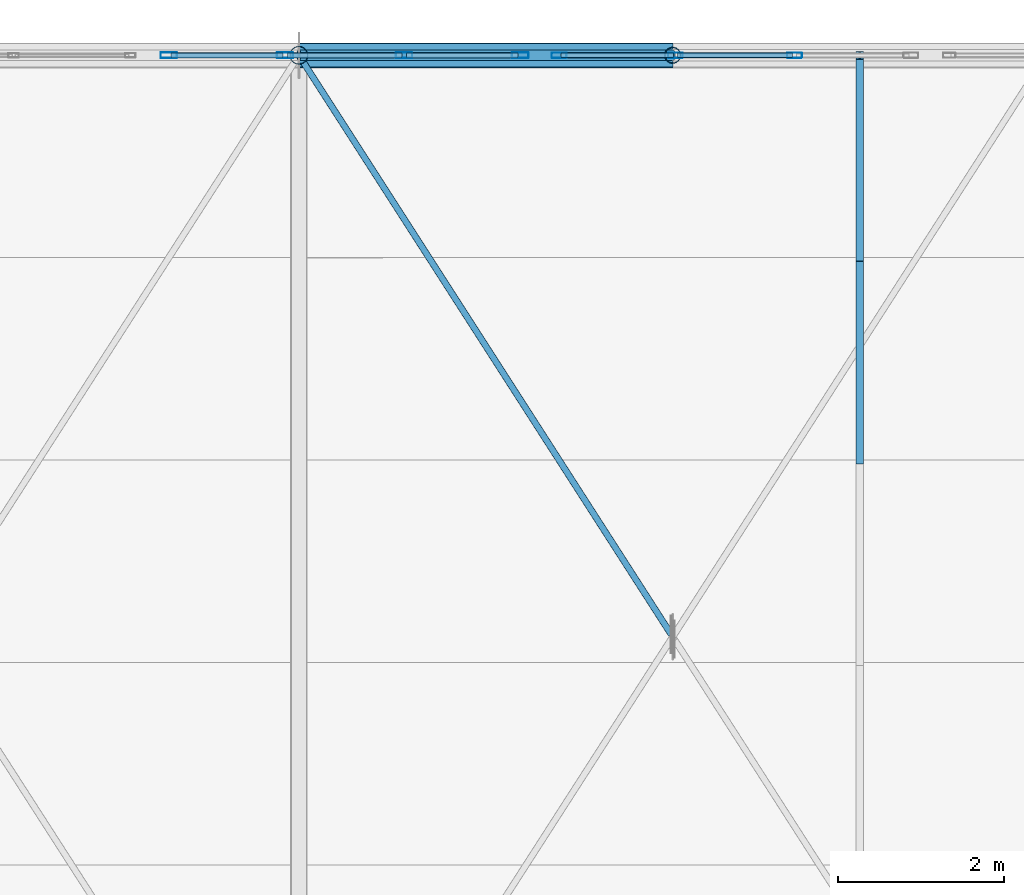
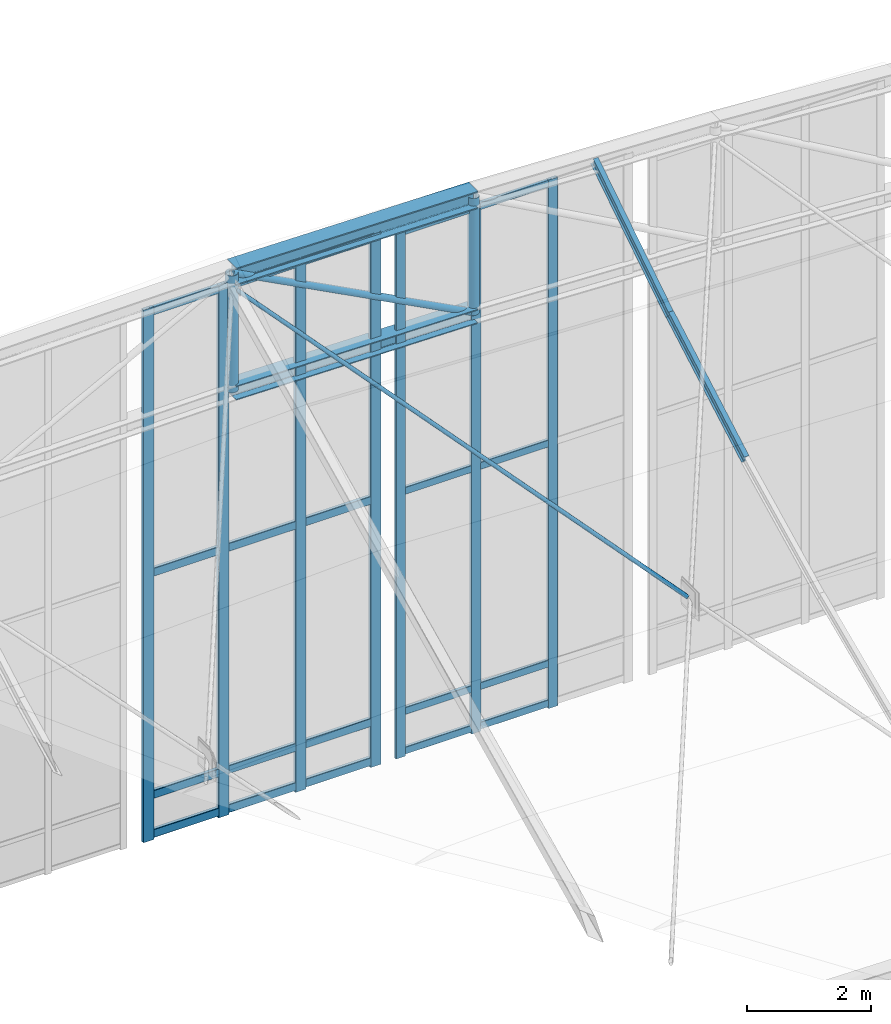
# One storey, part 211 of 262: 35 members, 2 elements without a shape of their own.
"""IFC4 building model written with IfcOpenShell, lengths in metres."""

from ifc_helpers import new_model, si_unit, derived_unit, direction, frame, origin, origin_2d, place, context, subcontext, project, spatial, hollow_rectangle, hollow_circle, i_section, extrude, material, layer, layer_set, material_profile, profile_set, type_object, element, aggregate, save


model = new_model("IFC4")

# Units and contexts
model_context = context("Model", 3, precision=1e-05, world=origin(), true_north=direction((0.0, 1.0)))
body_context = subcontext(model_context, "Body", "Model", "MODEL_VIEW")
ifc_project = project(units=[si_unit("LENGTHUNIT", "METRE"), si_unit("AREAUNIT", "SQUARE_METRE"), si_unit("VOLUMEUNIT", "CUBIC_METRE"), si_unit("PLANEANGLEUNIT", "RADIAN"), si_unit("MASSUNIT", "GRAM", prefix="KILO"), derived_unit("THERMALTRANSMITTANCEUNIT", [(si_unit("POWERUNIT", "WATT"), 1), (si_unit("LENGTHUNIT", "METRE"), -2), (si_unit("THERMODYNAMICTEMPERATUREUNIT", "KELVIN"), -1)])], contexts=[model_context])

# Site, building, storey
site_placement = place(None, origin())
site = spatial("IfcSite", under=ifc_project, at=site_placement, CompositionType="ELEMENT")
building_placement = place(site_placement, origin())
building = spatial("IfcBuilding", under=site, at=building_placement, Name="Almenara Railside Exhibition Hall", CompositionType="ELEMENT")
storey_placement = place(building_placement, frame((0.0, 0.0, 21.699951171875)))
storey = spatial("IfcBuildingStorey", under=building, at=storey_placement, Name="RF", CompositionType="ELEMENT", Elevation=21.699951171875)

# Members
ifc_material_1 = material(Name="Structural steel S355JR", Category="steel")
ifc_material_profile_1 = material_profile(ifc_material_1, i_section(OverallWidth=0.280029296875, OverallDepth=0.280029296875, WebThickness=0.010498046875, FlangeThickness=0.01806640625, FilletRadius=0.02392578125, at=origin_2d()), Name="HEB 280")
ifc_profile_set_1 = profile_set([ifc_material_profile_1], Name="Structural steel S355JR")
member_type_1 = type_object("IfcMemberType", Name="Arched Gable Bottom Chord HEB 280 S355JR", PredefinedType="CHORD", material=ifc_profile_set_1)
member_1_placement = place(storey_placement, frame((165.0, 132.0, 1.60009765625), z_axis=(0.999907293085, 0.0, -0.01361635908), x_axis=(0.0, 1.0, 0.0)))
element("IfcMember", 1, at=member_1_placement, inside=storey, type_object=member_type_1, Name="MEM-BC-V2-07-06", PredefinedType="CHORD", context=body_context, shape_type="SweptSolid", body=[
    extrude(i_section(OverallWidth=0.280029296875, OverallDepth=0.280029296875, WebThickness=0.010498046875, FlangeThickness=0.01806640625, FilletRadius=0.02392578125, at=origin_2d()), origin(), (0.0, 0.0, 1.0), 4.50048828125),
])
ifc_material_profile_2 = material_profile(ifc_material_1, i_section(OverallWidth=0.300048828125, OverallDepth=0.340087890625, WebThickness=0.011962890625, FlangeThickness=0.021484375, FilletRadius=0.027099609375, at=origin_2d()), Name="HEB 340")
ifc_profile_set_2 = profile_set([ifc_material_profile_2], Name="Structural steel S355JR")
member_type_2 = type_object("IfcMemberType", Name="Arched Gable Top Chord HEB 340 S355JR", PredefinedType="CHORD", material=ifc_profile_set_2)
member_2_placement = place(storey_placement, frame((165.0, 132.0, 3.900146484375), z_axis=(0.999907293085, 0.0, -0.01361635908), x_axis=(0.0, 1.0, 0.0)))
element("IfcMember", 2, at=member_2_placement, inside=storey, type_object=member_type_2, Name="MEM-TC-V2-07-06", PredefinedType="CHORD", context=body_context, shape_type="SweptSolid", body=[
    extrude(i_section(OverallWidth=0.300048828125, OverallDepth=0.340087890625, WebThickness=0.011962890625, FlangeThickness=0.021484375, FilletRadius=0.027099609375, at=origin_2d()), origin(), (0.0, 0.0, 1.0), 4.50048828125),
])

# Curtain wall, members
ifc_material_2 = material(Name="Bronze-anodised aluminium and low-E double glazing", Category="aluminium")
ifc_layer = layer(ifc_material_2, 0.179931640625, Name="Bronze-anodised aluminium and low-E double glazing")
ifc_layer_set = layer_set([ifc_layer], Name="Bronze-anodised aluminium and low-E double glazing")
curtain_wall_type = type_object("IfcCurtainWallType", Name="Scroll Gable Tall Curtain Wall 3800x5400", PredefinedType="NOTDEFINED", material=ifc_layer_set)
curtain_wall_1_placement = place(storey_placement, origin())
curtain_wall_1 = element("IfcCurtainWall", 3, at=curtain_wall_1_placement, inside=storey, type_object=curtain_wall_type, Name="Curtain wall CW-G1-229", PredefinedType="NOTDEFINED")
ifc_material_3 = material(Name="Bronze-anodised aluminium", Category="aluminium")
ifc_material_profile_3 = material_profile(ifc_material_3, hollow_rectangle(XDim=0.06494140625, YDim=0.179931640625, WallThickness=0.00390625, InnerFilletRadius=0.00390625, OuterFilletRadius=0.008056640625, at=origin_2d()), Name="ALU-MUL 65x180x4")
ifc_profile_set_3 = profile_set([ifc_material_profile_3], Name="Bronze-anodised aluminium")
member_type_3 = type_object("IfcMemberType", Name="Curtain Wall Mullion 65x180x4", PredefinedType="MULLION", material=ifc_profile_set_3)
member_3_placement = place(storey_placement, frame((168.132568359375, 132.0, -6.73486328125), z_axis=(0.0, 0.0, 1.0), x_axis=(0.0, 1.0, 0.0)))
member_3 = element("IfcMember", 4, at=member_3_placement, type_object=member_type_3, Name="CW-G1-229 mullion 1", PredefinedType="MULLION", context=body_context, shape_type="SweptSolid", body=[
    extrude(hollow_rectangle(XDim=0.06494140625, YDim=0.179931640625, WallThickness=0.00390625, InnerFilletRadius=0.00390625, OuterFilletRadius=0.008056640625, at=origin_2d()), origin(), (0.0, 0.0, 1.0), 10.405029296875),
])
member_4_placement = place(storey_placement, frame((169.533447265625, 132.0, -6.73486328125), z_axis=(0.0, 0.0, 1.0), x_axis=(0.0, 1.0, 0.0)))
member_4 = element("IfcMember", 5, at=member_4_placement, type_object=member_type_3, Name="CW-G1-229 mullion 2", PredefinedType="MULLION", context=body_context, shape_type="SweptSolid", body=[
    extrude(hollow_rectangle(XDim=0.06494140625, YDim=0.179931640625, WallThickness=0.00390625, InnerFilletRadius=0.00390625, OuterFilletRadius=0.008056640625, at=origin_2d()), origin(), (0.0, 0.0, 1.0), 10.405029296875),
])
member_5_placement = place(storey_placement, frame((170.966552734375, 132.0, -6.73486328125), z_axis=(0.0, 0.0, 1.0), x_axis=(0.0, 1.0, 0.0)))
member_5 = element("IfcMember", 6, at=member_5_placement, type_object=member_type_3, Name="CW-G1-229 mullion 3", PredefinedType="MULLION", context=body_context, shape_type="SweptSolid", body=[
    extrude(hollow_rectangle(XDim=0.06494140625, YDim=0.179931640625, WallThickness=0.00390625, InnerFilletRadius=0.00390625, OuterFilletRadius=0.008056640625, at=origin_2d()), origin(), (0.0, 0.0, 1.0), 10.405029296875),
])

curtain_wall_2_placement = place(storey_placement, origin())
curtain_wall_2 = element("IfcCurtainWall", 7, at=curtain_wall_2_placement, inside=storey, type_object=curtain_wall_type, Name="Curtain wall CW-G1-228", PredefinedType="NOTDEFINED")
ifc_material_profile_4 = material_profile(ifc_material_3, hollow_rectangle(XDim=0.070068359375, YDim=0.199951171875, WallThickness=0.00439453125, InnerFilletRadius=0.00439453125, OuterFilletRadius=0.009033203125, at=origin_2d()), Name="ALU-MUL 70x200x4.5")
ifc_profile_set_4 = profile_set([ifc_material_profile_4], Name="Bronze-anodised aluminium")
member_type_4 = type_object("IfcMemberType", Name="Curtain Wall Mullion 70x200x4.5", PredefinedType="MULLION", material=ifc_profile_set_4)
member_6_placement = place(storey_placement, frame((163.43505859375, 132.0, -6.73486328125), z_axis=(0.0, 0.0, 1.0), x_axis=(0.0, 1.0, 0.0)))
member_6 = element("IfcMember", 8, at=member_6_placement, type_object=member_type_4, Name="CW-G1-228 mullion 1", PredefinedType="MULLION", context=body_context, shape_type="SweptSolid", body=[
    extrude(hollow_rectangle(XDim=0.070068359375, YDim=0.199951171875, WallThickness=0.00439453125, InnerFilletRadius=0.00439453125, OuterFilletRadius=0.009033203125, at=origin_2d()), origin(), (0.0, 0.0, 1.0), 10.48486328125),
])
member_7_placement = place(storey_placement, frame((164.833251953125, 132.0, -6.73486328125), z_axis=(0.0, 0.0, 1.0), x_axis=(0.0, 1.0, 0.0)))
member_7 = element("IfcMember", 9, at=member_7_placement, type_object=member_type_4, Name="CW-G1-228 mullion 2", PredefinedType="MULLION", context=body_context, shape_type="SweptSolid", body=[
    extrude(hollow_rectangle(XDim=0.070068359375, YDim=0.199951171875, WallThickness=0.00439453125, InnerFilletRadius=0.00439453125, OuterFilletRadius=0.009033203125, at=origin_2d()), origin(), (0.0, 0.0, 1.0), 10.48486328125),
])
member_8_placement = place(storey_placement, frame((166.2666015625, 132.0, -6.73486328125), z_axis=(0.0, 0.0, 1.0), x_axis=(0.0, 1.0, 0.0)))
member_8 = element("IfcMember", 10, at=member_8_placement, type_object=member_type_4, Name="CW-G1-228 mullion 3", PredefinedType="MULLION", context=body_context, shape_type="SweptSolid", body=[
    extrude(hollow_rectangle(XDim=0.070068359375, YDim=0.199951171875, WallThickness=0.00439453125, InnerFilletRadius=0.00439453125, OuterFilletRadius=0.009033203125, at=origin_2d()), origin(), (0.0, 0.0, 1.0), 10.48486328125),
])
member_9_placement = place(storey_placement, frame((167.6650390625, 132.0, -6.73486328125), z_axis=(0.0, 0.0, 1.0), x_axis=(0.0, 1.0, 0.0)))
member_9 = element("IfcMember", 11, at=member_9_placement, type_object=member_type_4, Name="CW-G1-228 mullion 4", PredefinedType="MULLION", context=body_context, shape_type="SweptSolid", body=[
    extrude(hollow_rectangle(XDim=0.070068359375, YDim=0.199951171875, WallThickness=0.00439453125, InnerFilletRadius=0.00439453125, OuterFilletRadius=0.009033203125, at=origin_2d()), origin(), (0.0, 0.0, 1.0), 10.48486328125),
])

# Member
ifc_material_profile_5 = material_profile(ifc_material_3, hollow_rectangle(XDim=0.06494140625, YDim=0.139892578125, WallThickness=0.00341796875, InnerFilletRadius=0.00341796875, OuterFilletRadius=0.007080078125, at=origin_2d()), Name="ALU-TRN 65x140x3.5")
ifc_profile_set_5 = profile_set([ifc_material_profile_5], Name="Bronze-anodised aluminium")
member_type_5 = type_object("IfcMemberType", Name="Curtain Wall Transom 65x140x3.5", PredefinedType="USERDEFINED", material=ifc_profile_set_5)
member_10_placement = place(storey_placement, frame((168.156982421875, 132.0, -6.6298828125), z_axis=(1.0, 0.0, 0.0), x_axis=(0.0, 1.0, 0.0)))
member_10 = element("IfcMember", 12, at=member_10_placement, type_object=member_type_5, Name="CW-G1-229 transom 1.1", ObjectType="TRANSOM", PredefinedType="USERDEFINED", context=body_context, shape_type="SweptSolid", body=[
    extrude(hollow_rectangle(XDim=0.06494140625, YDim=0.139892578125, WallThickness=0.00341796875, InnerFilletRadius=0.00341796875, OuterFilletRadius=0.007080078125, at=origin_2d()), origin(), (0.0, 0.0, 1.0), 1.351806640625),
])

member_11_placement = place(storey_placement, frame((168.156982421875, 132.0, -5.849853515625), z_axis=(1.0, 0.0, 0.0), x_axis=(0.0, 1.0, 0.0)))
member_11 = element("IfcMember", 13, at=member_11_placement, type_object=member_type_5, Name="CW-G1-229 transom 1.2", ObjectType="TRANSOM", PredefinedType="USERDEFINED", context=body_context, shape_type="SweptSolid", body=[
    extrude(hollow_rectangle(XDim=0.06494140625, YDim=0.139892578125, WallThickness=0.00341796875, InnerFilletRadius=0.00341796875, OuterFilletRadius=0.007080078125, at=origin_2d()), origin(), (0.0, 0.0, 1.0), 1.351806640625),
])

member_12_placement = place(storey_placement, frame((168.156982421875, 132.0, -1.514892578125), z_axis=(1.0, 0.0, 0.0), x_axis=(0.0, 1.0, 0.0)))
member_12 = element("IfcMember", 14, at=member_12_placement, type_object=member_type_5, Name="CW-G1-229 transom 1.3", ObjectType="TRANSOM", PredefinedType="USERDEFINED", context=body_context, shape_type="SweptSolid", body=[
    extrude(hollow_rectangle(XDim=0.06494140625, YDim=0.139892578125, WallThickness=0.00341796875, InnerFilletRadius=0.00341796875, OuterFilletRadius=0.007080078125, at=origin_2d()), origin(), (0.0, 0.0, 1.0), 1.351806640625),
])

member_13_placement = place(storey_placement, frame((168.156982421875, 132.0, 3.60009765625), z_axis=(1.0, 0.0, 0.0), x_axis=(0.0, 1.0, 0.0)))
member_13 = element("IfcMember", 15, at=member_13_placement, type_object=member_type_5, Name="CW-G1-229 transom 1.4", ObjectType="TRANSOM", PredefinedType="USERDEFINED", context=body_context, shape_type="SweptSolid", body=[
    extrude(hollow_rectangle(XDim=0.06494140625, YDim=0.139892578125, WallThickness=0.00341796875, InnerFilletRadius=0.00341796875, OuterFilletRadius=0.007080078125, at=origin_2d()), origin(), (0.0, 0.0, 1.0), 1.351806640625),
])

member_14_placement = place(storey_placement, frame((169.557861328125, 132.0, -6.6298828125), z_axis=(1.0, 0.0, 0.0), x_axis=(0.0, 1.0, 0.0)))
member_14 = element("IfcMember", 16, at=member_14_placement, type_object=member_type_5, Name="CW-G1-229 transom 2.1", ObjectType="TRANSOM", PredefinedType="USERDEFINED", context=body_context, shape_type="SweptSolid", body=[
    extrude(hollow_rectangle(XDim=0.06494140625, YDim=0.139892578125, WallThickness=0.00341796875, InnerFilletRadius=0.00341796875, OuterFilletRadius=0.007080078125, at=origin_2d()), origin(), (0.0, 0.0, 1.0), 1.38427734375),
])

member_15_placement = place(storey_placement, frame((169.557861328125, 132.0, -5.849853515625), z_axis=(1.0, 0.0, 0.0), x_axis=(0.0, 1.0, 0.0)))
member_15 = element("IfcMember", 17, at=member_15_placement, type_object=member_type_5, Name="CW-G1-229 transom 2.2", ObjectType="TRANSOM", PredefinedType="USERDEFINED", context=body_context, shape_type="SweptSolid", body=[
    extrude(hollow_rectangle(XDim=0.06494140625, YDim=0.139892578125, WallThickness=0.00341796875, InnerFilletRadius=0.00341796875, OuterFilletRadius=0.007080078125, at=origin_2d()), origin(), (0.0, 0.0, 1.0), 1.38427734375),
])

member_16_placement = place(storey_placement, frame((169.557861328125, 132.0, -1.514892578125), z_axis=(1.0, 0.0, 0.0), x_axis=(0.0, 1.0, 0.0)))
member_16 = element("IfcMember", 18, at=member_16_placement, type_object=member_type_5, Name="CW-G1-229 transom 2.3", ObjectType="TRANSOM", PredefinedType="USERDEFINED", context=body_context, shape_type="SweptSolid", body=[
    extrude(hollow_rectangle(XDim=0.06494140625, YDim=0.139892578125, WallThickness=0.00341796875, InnerFilletRadius=0.00341796875, OuterFilletRadius=0.007080078125, at=origin_2d()), origin(), (0.0, 0.0, 1.0), 1.38427734375),
])

member_17_placement = place(storey_placement, frame((169.557861328125, 132.0, 3.60009765625), z_axis=(1.0, 0.0, 0.0), x_axis=(0.0, 1.0, 0.0)))
member_17 = element("IfcMember", 19, at=member_17_placement, type_object=member_type_5, Name="CW-G1-229 transom 2.4", ObjectType="TRANSOM", PredefinedType="USERDEFINED", context=body_context, shape_type="SweptSolid", body=[
    extrude(hollow_rectangle(XDim=0.06494140625, YDim=0.139892578125, WallThickness=0.00341796875, InnerFilletRadius=0.00341796875, OuterFilletRadius=0.007080078125, at=origin_2d()), origin(), (0.0, 0.0, 1.0), 1.38427734375),
])

aggregate(curtain_wall_1, [member_3, member_4, member_5, member_10, member_11, member_12, member_13, member_14, member_15, member_16, member_17])

ifc_material_profile_6 = material_profile(ifc_material_3, hollow_rectangle(XDim=0.070068359375, YDim=0.159912109375, WallThickness=0.00390625, InnerFilletRadius=0.00390625, OuterFilletRadius=0.008056640625, at=origin_2d()), Name="ALU-TRN 70x160x4")
ifc_profile_set_6 = profile_set([ifc_material_profile_6], Name="Bronze-anodised aluminium")
member_type_6 = type_object("IfcMemberType", Name="Curtain Wall Transom 70x160x4", PredefinedType="USERDEFINED", material=ifc_profile_set_6)
member_18_placement = place(storey_placement, frame((163.4619140625, 132.0, -6.619873046875), z_axis=(1.0, 0.0, 0.0), x_axis=(0.0, 1.0, 0.0)))
member_18 = element("IfcMember", 20, at=member_18_placement, type_object=member_type_6, Name="CW-G1-228 transom 1.1", ObjectType="TRANSOM", PredefinedType="USERDEFINED", context=body_context, shape_type="SweptSolid", body=[
    extrude(hollow_rectangle(XDim=0.070068359375, YDim=0.159912109375, WallThickness=0.00390625, InnerFilletRadius=0.00390625, OuterFilletRadius=0.008056640625, at=origin_2d()), origin(), (0.0, 0.0, 1.0), 1.344482421875),
])

member_19_placement = place(storey_placement, frame((163.4619140625, 132.0, -5.849853515625), z_axis=(1.0, 0.0, 0.0), x_axis=(0.0, 1.0, 0.0)))
member_19 = element("IfcMember", 21, at=member_19_placement, type_object=member_type_6, Name="CW-G1-228 transom 1.2", ObjectType="TRANSOM", PredefinedType="USERDEFINED", context=body_context, shape_type="SweptSolid", body=[
    extrude(hollow_rectangle(XDim=0.070068359375, YDim=0.159912109375, WallThickness=0.00390625, InnerFilletRadius=0.00390625, OuterFilletRadius=0.008056640625, at=origin_2d()), origin(), (0.0, 0.0, 1.0), 1.344482421875),
])

member_20_placement = place(storey_placement, frame((163.4619140625, 132.0, -1.474853515625), z_axis=(1.0, 0.0, 0.0), x_axis=(0.0, 1.0, 0.0)))
member_20 = element("IfcMember", 22, at=member_20_placement, type_object=member_type_6, Name="CW-G1-228 transom 1.3", ObjectType="TRANSOM", PredefinedType="USERDEFINED", context=body_context, shape_type="SweptSolid", body=[
    extrude(hollow_rectangle(XDim=0.070068359375, YDim=0.159912109375, WallThickness=0.00390625, InnerFilletRadius=0.00390625, OuterFilletRadius=0.008056640625, at=origin_2d()), origin(), (0.0, 0.0, 1.0), 1.344482421875),
])

member_21_placement = place(storey_placement, frame((163.4619140625, 132.0, 3.670166015625), z_axis=(1.0, 0.0, 0.0), x_axis=(0.0, 1.0, 0.0)))
member_21 = element("IfcMember", 23, at=member_21_placement, type_object=member_type_6, Name="CW-G1-228 transom 1.4", ObjectType="TRANSOM", PredefinedType="USERDEFINED", context=body_context, shape_type="SweptSolid", body=[
    extrude(hollow_rectangle(XDim=0.070068359375, YDim=0.159912109375, WallThickness=0.00390625, InnerFilletRadius=0.00390625, OuterFilletRadius=0.008056640625, at=origin_2d()), origin(), (0.0, 0.0, 1.0), 1.344482421875),
])

member_22_placement = place(storey_placement, frame((164.8603515625, 132.0, -6.619873046875), z_axis=(1.0, 0.0, 0.0), x_axis=(0.0, 1.0, 0.0)))
member_22 = element("IfcMember", 24, at=member_22_placement, type_object=member_type_6, Name="CW-G1-228 transom 2.1", ObjectType="TRANSOM", PredefinedType="USERDEFINED", context=body_context, shape_type="SweptSolid", body=[
    extrude(hollow_rectangle(XDim=0.070068359375, YDim=0.159912109375, WallThickness=0.00390625, InnerFilletRadius=0.00390625, OuterFilletRadius=0.008056640625, at=origin_2d()), origin(), (0.0, 0.0, 1.0), 1.37939453125),
])

member_23_placement = place(storey_placement, frame((164.8603515625, 132.0, -5.849853515625), z_axis=(1.0, 0.0, 0.0), x_axis=(0.0, 1.0, 0.0)))
member_23 = element("IfcMember", 25, at=member_23_placement, type_object=member_type_6, Name="CW-G1-228 transom 2.2", ObjectType="TRANSOM", PredefinedType="USERDEFINED", context=body_context, shape_type="SweptSolid", body=[
    extrude(hollow_rectangle(XDim=0.070068359375, YDim=0.159912109375, WallThickness=0.00390625, InnerFilletRadius=0.00390625, OuterFilletRadius=0.008056640625, at=origin_2d()), origin(), (0.0, 0.0, 1.0), 1.37939453125),
])

member_24_placement = place(storey_placement, frame((164.8603515625, 132.0, -1.474853515625), z_axis=(1.0, 0.0, 0.0), x_axis=(0.0, 1.0, 0.0)))
member_24 = element("IfcMember", 26, at=member_24_placement, type_object=member_type_6, Name="CW-G1-228 transom 2.3", ObjectType="TRANSOM", PredefinedType="USERDEFINED", context=body_context, shape_type="SweptSolid", body=[
    extrude(hollow_rectangle(XDim=0.070068359375, YDim=0.159912109375, WallThickness=0.00390625, InnerFilletRadius=0.00390625, OuterFilletRadius=0.008056640625, at=origin_2d()), origin(), (0.0, 0.0, 1.0), 1.37939453125),
])

member_25_placement = place(storey_placement, frame((164.8603515625, 132.0, 3.670166015625), z_axis=(1.0, 0.0, 0.0), x_axis=(0.0, 1.0, 0.0)))
member_25 = element("IfcMember", 27, at=member_25_placement, type_object=member_type_6, Name="CW-G1-228 transom 2.4", ObjectType="TRANSOM", PredefinedType="USERDEFINED", context=body_context, shape_type="SweptSolid", body=[
    extrude(hollow_rectangle(XDim=0.070068359375, YDim=0.159912109375, WallThickness=0.00390625, InnerFilletRadius=0.00390625, OuterFilletRadius=0.008056640625, at=origin_2d()), origin(), (0.0, 0.0, 1.0), 1.37939453125),
])

member_26_placement = place(storey_placement, frame((166.293701171875, 132.0, -6.619873046875), z_axis=(1.0, 0.0, 0.0), x_axis=(0.0, 1.0, 0.0)))
member_26 = element("IfcMember", 28, at=member_26_placement, type_object=member_type_6, Name="CW-G1-228 transom 3.1", ObjectType="TRANSOM", PredefinedType="USERDEFINED", context=body_context, shape_type="SweptSolid", body=[
    extrude(hollow_rectangle(XDim=0.070068359375, YDim=0.159912109375, WallThickness=0.00390625, InnerFilletRadius=0.00390625, OuterFilletRadius=0.008056640625, at=origin_2d()), origin(), (0.0, 0.0, 1.0), 1.34423828125),
])

member_27_placement = place(storey_placement, frame((166.293701171875, 132.0, -5.849853515625), z_axis=(1.0, 0.0, 0.0), x_axis=(0.0, 1.0, 0.0)))
member_27 = element("IfcMember", 29, at=member_27_placement, type_object=member_type_6, Name="CW-G1-228 transom 3.2", ObjectType="TRANSOM", PredefinedType="USERDEFINED", context=body_context, shape_type="SweptSolid", body=[
    extrude(hollow_rectangle(XDim=0.070068359375, YDim=0.159912109375, WallThickness=0.00390625, InnerFilletRadius=0.00390625, OuterFilletRadius=0.008056640625, at=origin_2d()), origin(), (0.0, 0.0, 1.0), 1.34423828125),
])

member_28_placement = place(storey_placement, frame((166.293701171875, 132.0, -1.474853515625), z_axis=(1.0, 0.0, 0.0), x_axis=(0.0, 1.0, 0.0)))
member_28 = element("IfcMember", 30, at=member_28_placement, type_object=member_type_6, Name="CW-G1-228 transom 3.3", ObjectType="TRANSOM", PredefinedType="USERDEFINED", context=body_context, shape_type="SweptSolid", body=[
    extrude(hollow_rectangle(XDim=0.070068359375, YDim=0.159912109375, WallThickness=0.00390625, InnerFilletRadius=0.00390625, OuterFilletRadius=0.008056640625, at=origin_2d()), origin(), (0.0, 0.0, 1.0), 1.34423828125),
])

member_29_placement = place(storey_placement, frame((166.293701171875, 132.0, 3.670166015625), z_axis=(1.0, 0.0, 0.0), x_axis=(0.0, 1.0, 0.0)))
member_29 = element("IfcMember", 31, at=member_29_placement, type_object=member_type_6, Name="CW-G1-228 transom 3.4", ObjectType="TRANSOM", PredefinedType="USERDEFINED", context=body_context, shape_type="SweptSolid", body=[
    extrude(hollow_rectangle(XDim=0.070068359375, YDim=0.159912109375, WallThickness=0.00390625, InnerFilletRadius=0.00390625, OuterFilletRadius=0.008056640625, at=origin_2d()), origin(), (0.0, 0.0, 1.0), 1.34423828125),
])

aggregate(curtain_wall_2, [member_6, member_7, member_8, member_9, member_18, member_19, member_20, member_21, member_22, member_23, member_24, member_25, member_26, member_27, member_28, member_29])

# Members
ifc_material_profile_7 = material_profile(ifc_material_1, hollow_circle(Radius=0.0380859375, WallThickness=0.003662109375, at=origin_2d()), Name="CHS 76.1x3.6")
ifc_profile_set_7 = profile_set([ifc_material_profile_7], Name="Structural steel S355JR")
member_type_7 = type_object("IfcMemberType", Name="Lantern Cross-Tie Brace CHS 76.1x3.6 S355JR", PredefinedType="BRACE", material=ifc_profile_set_7)
member_30_placement = place(storey_placement, frame((169.47900390625, 125.03271484375, 0.15576171875), z_axis=(-0.498880989968, 0.776031052638, 0.385867287018), x_axis=(-0.841176559985, -0.5407605708, 0.0)))
element("IfcMember", 32, at=member_30_placement, inside=storey, type_object=member_type_7, Name="MEM-WB-V2-WB-CHS76-06-06-S2", PredefinedType="BRACE", context=body_context, shape_type="SweptSolid", body=[
    extrude(hollow_circle(Radius=0.0380859375, WallThickness=0.003662109375, at=origin_2d()), origin(), (0.0, 0.0, 1.0), 8.97802734375),
])
ifc_material_profile_8 = material_profile(ifc_material_1, i_section(OverallWidth=0.091064453125, OverallDepth=0.179931640625, WebThickness=0.00537109375, FlangeThickness=0.008056640625, FilletRadius=0.009033203125, at=origin_2d()), Name="IPE 180")
ifc_profile_set_8 = profile_set([ifc_material_profile_8], Name="Structural steel S355JR")
member_type_8 = type_object("IfcMemberType", Name="Plenary Roof Purlin IPE 180 S355JR", PredefinedType="PURLIN", material=ifc_profile_set_8)
member_31_placement = place(storey_placement, frame((171.75, 127.126708984375, 0.81298828125), z_axis=(0.0, 0.870483227181, 0.492198081261), x_axis=(-1.0, 0.0, 0.0)))
element("IfcMember", 33, at=member_31_placement, inside=storey, type_object=member_type_8, Name="MEM-PR-V2-PR-IPE180-05-26", PredefinedType="PURLIN", context=body_context, shape_type="SweptSolid", body=[
    extrude(i_section(OverallWidth=0.091064453125, OverallDepth=0.179931640625, WebThickness=0.00537109375, FlangeThickness=0.008056640625, FilletRadius=0.009033203125, at=origin_2d()), origin(), (0.0, 0.0, 1.0), 2.799072265625),
])
member_32_placement = place(storey_placement, frame((171.75, 129.563232421875, 2.180419921875), z_axis=(0.0, 0.842265270347, 0.53906327492), x_axis=(-1.0, 0.0, 0.0)))
element("IfcMember", 34, at=member_32_placement, inside=storey, type_object=member_type_8, Name="MEM-PR-V2-PR-IPE180-05-27", PredefinedType="PURLIN", context=body_context, shape_type="SweptSolid", body=[
    extrude(i_section(OverallWidth=0.091064453125, OverallDepth=0.179931640625, WebThickness=0.00537109375, FlangeThickness=0.008056640625, FilletRadius=0.009033203125, at=origin_2d()), origin(), (0.0, 0.0, 1.0), 2.89306640625),
])
ifc_material_profile_9 = material_profile(ifc_material_1, hollow_circle(Radius=0.0634765625, WallThickness=0.00439453125, at=origin_2d()), Name="CHS 127.0x4.5")
ifc_profile_set_9 = profile_set([ifc_material_profile_9], Name="Structural steel S355JR")
member_type_9 = type_object("IfcMemberType", Name="Truss Crown Diagonal CHS 127.0x4.5 S355JR", PredefinedType="BRACE", material=ifc_profile_set_9)
member_33_placement = place(storey_placement, frame((165.0, 132.0, 3.900146484375), z_axis=(0.885492789601, 0.0, -0.46465311746), x_axis=(0.0, 1.0, 0.0)))
element("IfcMember", 35, at=member_33_placement, inside=storey, type_object=member_type_9, Name="MEM-TD-V2-07-06", PredefinedType="BRACE", context=body_context, shape_type="SweptSolid", body=[
    extrude(hollow_circle(Radius=0.0634765625, WallThickness=0.00439453125, at=origin_2d()), origin(), (0.0, 0.0, 1.0), 5.08203125),
])
ifc_material_profile_10 = material_profile(ifc_material_1, hollow_circle(Radius=0.109619140625, WallThickness=0.008056640625, at=origin_2d()), Name="CHS 219.1x8")
ifc_profile_set_10 = profile_set([ifc_material_profile_10], Name="Structural steel S355JR")
member_type_10 = type_object("IfcMemberType", Name="Truss Primary Vertical Strut CHS 219.1x8 S355JR", PredefinedType="BRACE", material=ifc_profile_set_10)
member_34_placement = place(storey_placement, frame((165.0, 132.0, 1.60009765625), z_axis=(0.0, 0.0, 1.0), x_axis=(1.0, 0.0, 0.0)))
element("IfcMember", 36, at=member_34_placement, inside=storey, type_object=member_type_10, Name="MEM-TV-V2-07-06", PredefinedType="BRACE", context=body_context, shape_type="SweptSolid", body=[
    extrude(hollow_circle(Radius=0.109619140625, WallThickness=0.008056640625, at=origin_2d()), origin(), (0.0, 0.0, 1.0), 2.300048828125),
])
ifc_material_profile_11 = material_profile(ifc_material_1, hollow_circle(Radius=0.096923828125, WallThickness=0.00634765625, at=origin_2d()), Name="CHS 193.7x6.3")
ifc_profile_set_11 = profile_set([ifc_material_profile_11], Name="Structural steel S355JR")
member_type_11 = type_object("IfcMemberType", Name="Truss Standard Vertical Strut CHS 193.7x6.3 S355JR", PredefinedType="BRACE", material=ifc_profile_set_11)
member_35_placement = place(storey_placement, frame((169.5, 132.0, 1.538818359375), z_axis=(0.0, 0.0, 1.0), x_axis=(1.0, 0.0, 0.0)))
element("IfcMember", 37, at=member_35_placement, inside=storey, type_object=member_type_11, Name="MEM-TV-V2-07-07", PredefinedType="BRACE", context=body_context, shape_type="SweptSolid", body=[
    extrude(hollow_circle(Radius=0.096923828125, WallThickness=0.00634765625, at=origin_2d()), origin(), (0.0, 0.0, 1.0), 2.300048828125),
])

save(model, "model.ifc")
